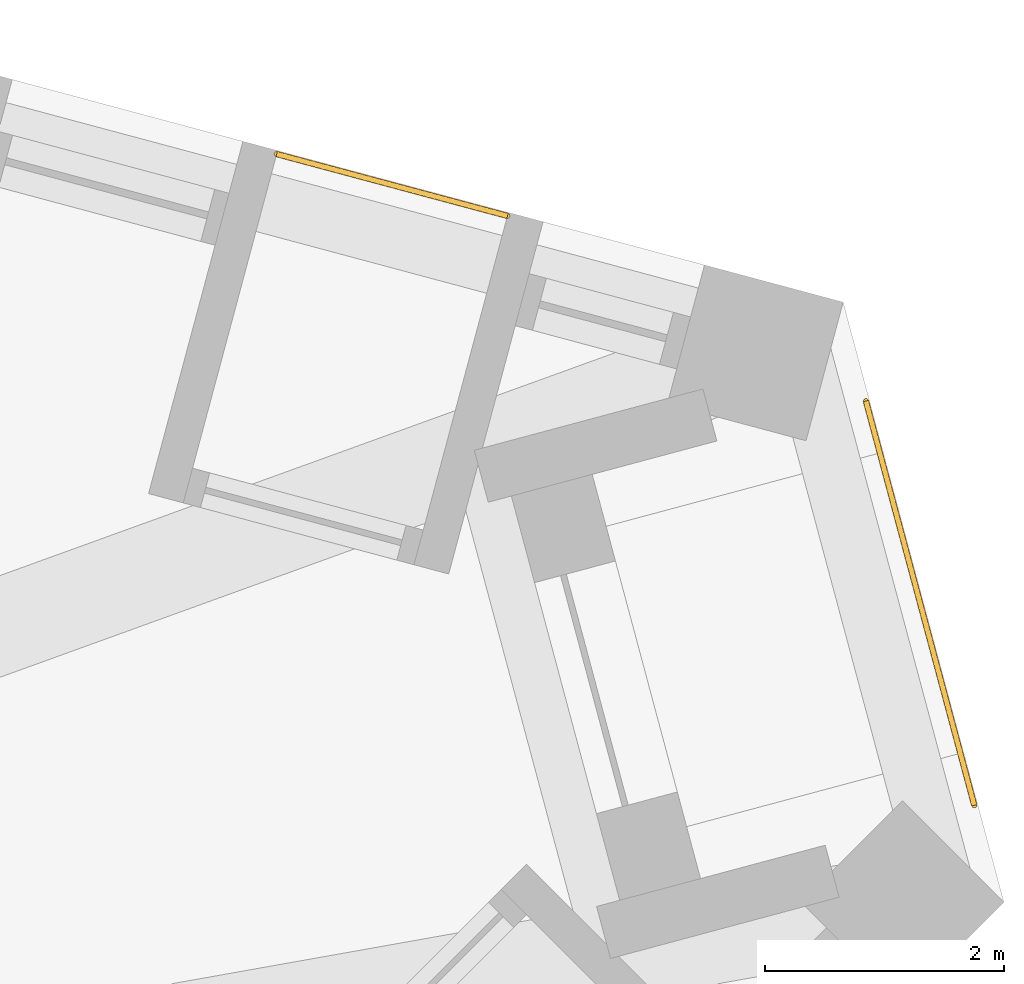
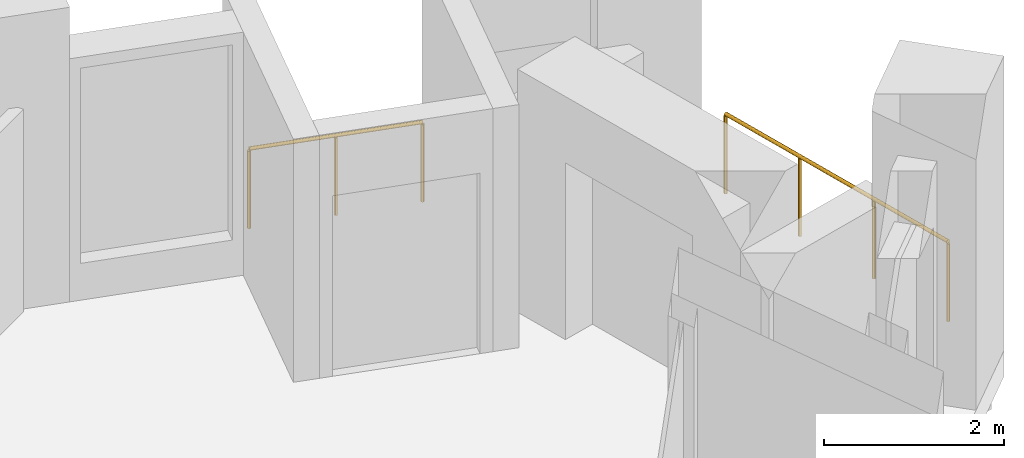
# One storey, part 13 of 13: 2 railings.
"""IFC4 building model written with IfcOpenShell, lengths in metres."""

from ifc_helpers import new_model, si_unit, direction, frame, origin, origin_2d, place, context, subcontext, project, spatial, circle, extrude, material, type_object, element, save


model = new_model("IFC4")

# Units and contexts
model_context = context("Model", 3, precision=1e-05, world=origin(), true_north=direction((0.0, 1.0)))
body_context = subcontext(model_context, "Body", "Model", "MODEL_VIEW")
ifc_project = project(units=[si_unit("LENGTHUNIT", "METRE"), si_unit("AREAUNIT", "SQUARE_METRE"), si_unit("VOLUMEUNIT", "CUBIC_METRE"), si_unit("PLANEANGLEUNIT", "RADIAN"), si_unit("MASSUNIT", "GRAM", prefix="KILO")], contexts=[model_context])

# Site, building, storey
site_placement = place(None, origin())
site = spatial("IfcSite", under=ifc_project, at=site_placement, CompositionType="ELEMENT")
building_placement = place(site_placement, origin())
building = spatial("IfcBuilding", under=site, at=building_placement, Name="Tramontana Tower", CompositionType="ELEMENT")
storey_placement = place(building_placement, frame((0.0, 0.0, 204.0)))
storey = spatial("IfcBuildingStorey", under=building, at=storey_placement, Name="L47", CompositionType="ELEMENT", Elevation=204.0)

# Railings
ifc_material = material(Name="Laminated glass balustrade", Category="glass")
railing_type = type_object("IfcRailingType", Name="GD1 Loggia glass balustrade 1100", PredefinedType="BALUSTRADE", material=ifc_material)
railing_1_placement = place(storey_placement, frame((24.04931640625, 10.60693359375, 0.0)))
element("IfcRailing", 1, at=railing_1_placement, inside=storey, type_object=railing_type, Name="Loggia balustrade L47 G5S2.1", PredefinedType="BALUSTRADE", context=body_context, shape_type="SweptSolid", body=[
    extrude(circle(Radius=0.02392578125, at=origin_2d()), frame((0.0, 0.0, 1.076171875), z_axis=(-0.96593005298, 0.258803270362, 0.0), x_axis=(-0.258803270362, -0.96593005298, 0.0)), (0.0, 0.0, 1.0), 1.998046875),
    extrude(circle(Radius=0.02099609375, at=origin_2d()), origin(), (0.0, 0.0, 1.0), 1.052001953125),
    extrude(circle(Radius=0.02099609375, at=origin_2d()), frame((-0.96484375, 0.258544921875, 0.0)), (0.0, 0.0, 1.0), 1.052001953125),
    extrude(circle(Radius=0.02099609375, at=origin_2d()), frame((-1.929931640625, 0.51708984375, 0.0)), (0.0, 0.0, 1.0), 1.052001953125),
])
railing_2_placement = place(storey_placement, frame((27.046875, 9.058837890625, 0.0)))
element("IfcRailing", 2, at=railing_2_placement, inside=storey, type_object=railing_type, Name="Corner loggia balustrade L47 K52", PredefinedType="BALUSTRADE", context=body_context, shape_type="SweptSolid", body=[
    extrude(circle(Radius=0.02392578125, at=origin_2d()), frame((0.0, 0.0, 1.076171875), z_axis=(0.258865093408, -0.965913486506, 0.0), x_axis=(0.965913486506, 0.258865093408, 0.0)), (0.0, 0.0, 1.0), 3.5),
    extrude(circle(Radius=0.02099609375, at=origin_2d()), origin(), (0.0, 0.0, 1.0), 1.052001953125),
    extrude(circle(Radius=0.02099609375, at=origin_2d()), frame((0.302001953125, -1.126953125, 0.0)), (0.0, 0.0, 1.0), 1.052001953125),
    extrude(circle(Radius=0.02099609375, at=origin_2d()), frame((0.60400390625, -2.253662109375, 0.0)), (0.0, 0.0, 1.0), 1.052001953125),
    extrude(circle(Radius=0.02099609375, at=origin_2d()), frame((0.906005859375, -3.380615234375, 0.0)), (0.0, 0.0, 1.0), 1.052001953125),
])

save(model, "model.ifc")
